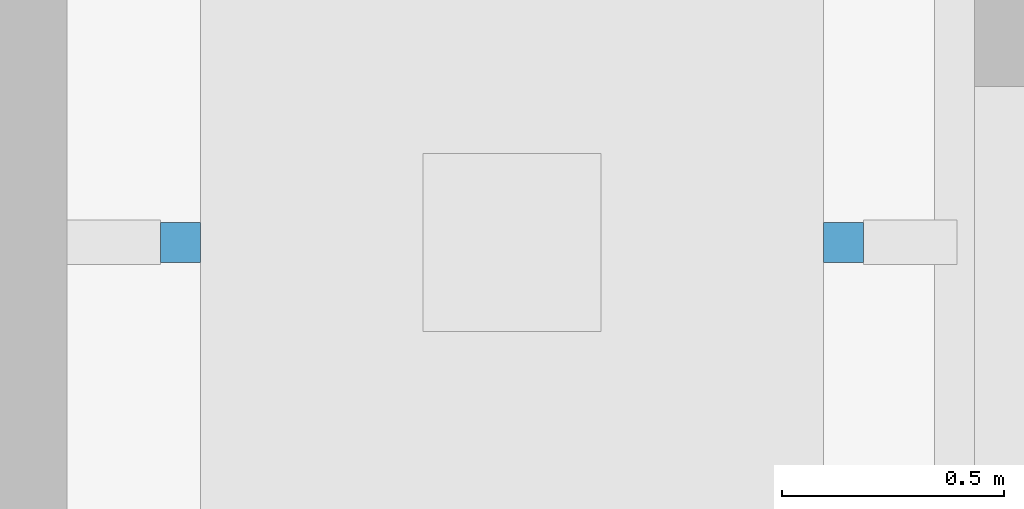
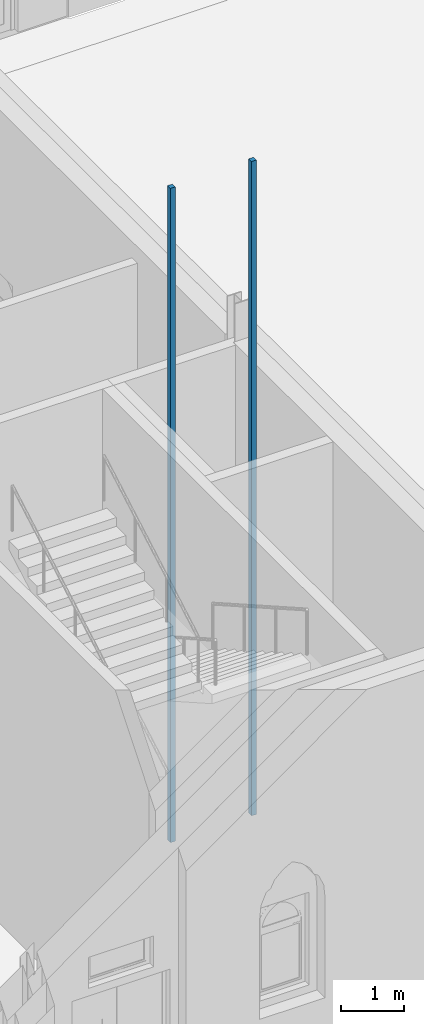
# One storey, part 154 of 250: 2 discrete accessories.
"""IFC4 building model written with IfcOpenShell, lengths in metres."""

from ifc_helpers import new_model, si_unit, direction, frame, origin, origin_2d, place, context, subcontext, project, spatial, rectangle, extrude, material, type_object, element, save


model = new_model("IFC4")

# Units and contexts
model_context = context("Model", 3, precision=1e-05, world=origin(), true_north=direction((0.0, 1.0)))
body_context = subcontext(model_context, "Body", "Model", "MODEL_VIEW")
ifc_project = project(units=[si_unit("LENGTHUNIT", "METRE"), si_unit("AREAUNIT", "SQUARE_METRE"), si_unit("VOLUMEUNIT", "CUBIC_METRE"), si_unit("PLANEANGLEUNIT", "RADIAN"), si_unit("MASSUNIT", "GRAM", prefix="KILO")], contexts=[model_context])

# Site, building, storey
site_placement = place(None, origin())
site = spatial("IfcSite", under=ifc_project, at=site_placement, CompositionType="ELEMENT")
building_placement = place(site_placement, origin())
building = spatial("IfcBuilding", under=site, at=building_placement, Name="Baradari Gate Terminus", CompositionType="ELEMENT")
storey_placement = place(building_placement, origin())
storey = spatial("IfcBuildingStorey", under=building, at=storey_placement, Name="L00", CompositionType="ELEMENT", Elevation=0.0)

# Discrete accessories
ifc_material = material(Name="Steel S355", Category="steel")
discrete_accessory_type = type_object("IfcDiscreteAccessoryType", Name="Lift guide rail GR-L1 90x90", PredefinedType="BRACKET", material=ifc_material)
for number, where, z_axis, x_axis, name in (
    (1, (151.054931640625, 16.75, -1.60009765625), (0.0, 0.0, 1.0), (1.0, 0.0, 0.0), "Lift guide rail LSW2 1"),
    (2, (152.544921875, 16.75, -1.60009765625), (0.0, 0.0, 1.0), (1.0, 0.0, 0.0), "Lift guide rail LSW2 2"),
):
    element("IfcDiscreteAccessory", number, at=place(storey_placement, frame(where, z_axis=z_axis, x_axis=x_axis)), inside=storey, type_object=discrete_accessory_type, Name=name, PredefinedType="BRACKET", context=body_context, shape_type="SweptSolid", body=[
        extrude(rectangle(XDim=0.090087890625, YDim=0.090087890625, at=origin_2d()), origin(), (0.0, 0.0, 1.0), 12.699951171875),
    ])

save(model, "model.ifc")
